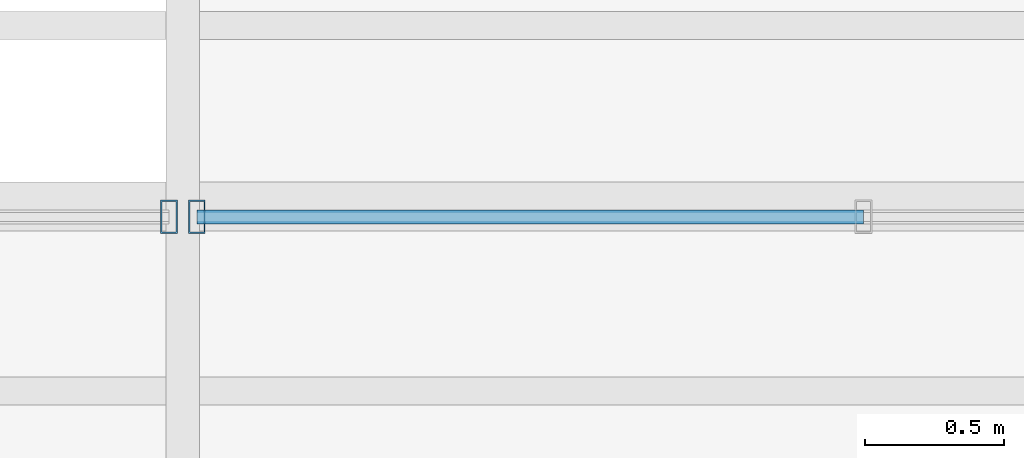
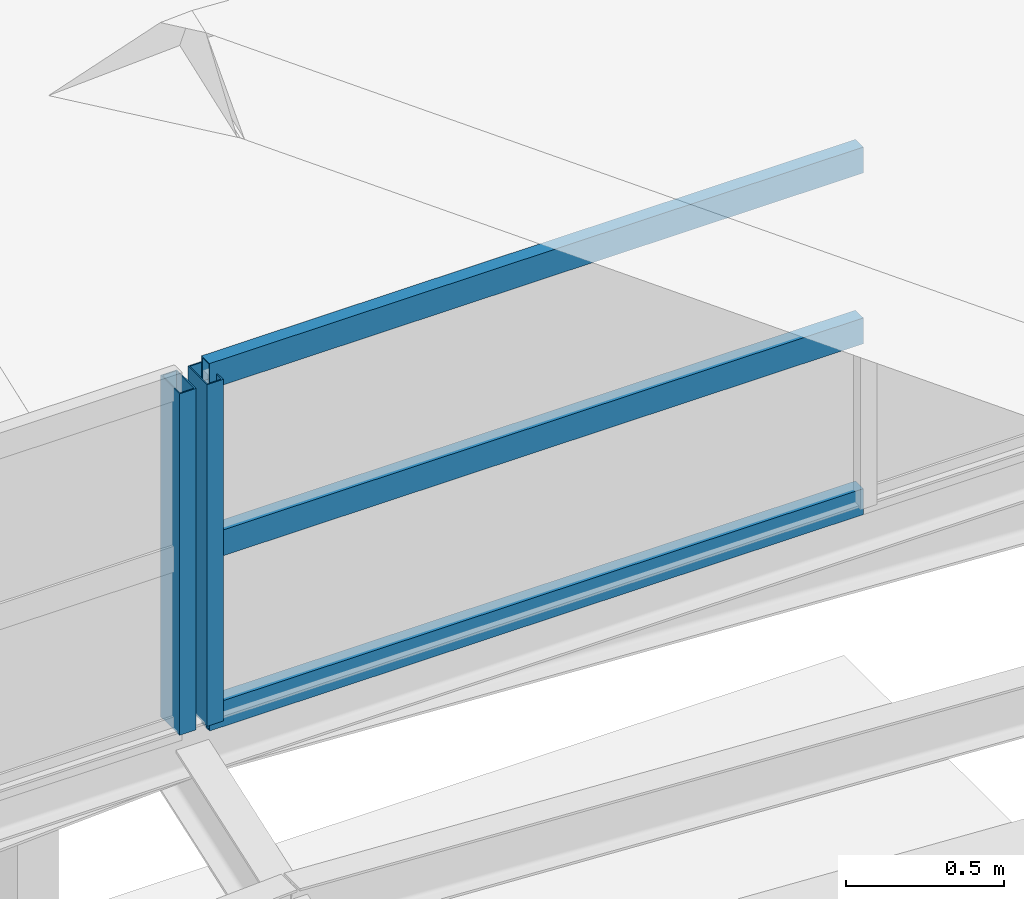
# One storey, part 98 of 141: 5 members, 2 elements without a shape of their own.
"""IFC4 building model written with IfcOpenShell, lengths in metres."""

from ifc_helpers import new_model, si_unit, direction, frame, origin, origin_2d, place, context, subcontext, project, spatial, hollow_rectangle, extrude, material, material_profile, profile_set, type_object, element, aggregate, save


model = new_model("IFC4")

# Units and contexts
model_context = context("Model", 3, precision=1e-05, world=origin(), true_north=direction((0.0, 1.0)))
body_context = subcontext(model_context, "Body", "Model", "MODEL_VIEW")
ifc_project = project(units=[si_unit("LENGTHUNIT", "METRE"), si_unit("AREAUNIT", "SQUARE_METRE"), si_unit("VOLUMEUNIT", "CUBIC_METRE"), si_unit("PLANEANGLEUNIT", "RADIAN"), si_unit("MASSUNIT", "GRAM", prefix="KILO")], contexts=[model_context])

# Site, building, storey
site_placement = place(None, origin())
site = spatial("IfcSite", under=ifc_project, at=site_placement, CompositionType="ELEMENT")
building_placement = place(site_placement, origin())
building = spatial("IfcBuilding", under=site, at=building_placement, Name="Sundkrona Museum", CompositionType="ELEMENT")
storey_placement = place(building_placement, frame((0.0, 0.0, 34.0)))
storey = spatial("IfcBuildingStorey", under=building, at=storey_placement, Name="RF", CompositionType="ELEMENT", Elevation=34.0)

# Curtain wall, member
ifc_material_1 = material(Name="Unitised Aluminium-Steel and Ceramic-Clad Curtain Walling", Category="steel")
curtain_wall_type = type_object("IfcCurtainWallType", Name="CW-SW-240x13", PredefinedType="NOTDEFINED", material=ifc_material_1)
curtain_wall_1_placement = place(storey_placement, origin())
curtain_wall_1 = element("IfcCurtainWall", 1, at=curtain_wall_1_placement, inside=storey, type_object=curtain_wall_type, Name="Sawtooth Bay 6 West North-Light Clerestory", PredefinedType="NOTDEFINED")
ifc_material_2 = material(Name="Aluminium EN AW-6060 T66", Category="aluminium")
ifc_material_profile_1 = material_profile(ifc_material_2, hollow_rectangle(XDim=0.06005859375, YDim=0.1201171875, WallThickness=0.0048828125, at=origin_2d()), Name="RHS 120x60x5.0")
ifc_profile_set_1 = profile_set([ifc_material_profile_1], Name="Aluminium EN AW-6060 T66")
member_type_1 = type_object("IfcMemberType", Name="ML-120", PredefinedType="MULLION", material=ifc_profile_set_1)
member_1_placement = place(storey_placement, frame((143.949951171875, 42.699951171875, 4.31298828125), z_axis=(0.0, 0.0, 1.0), x_axis=(1.0, 0.0, 0.0)))
member_1 = element("IfcMember", 2, at=member_1_placement, type_object=member_type_1, Name="CW-RF-SAW-06W Mullion 11", PredefinedType="MULLION", context=body_context, shape_type="SweptSolid", body=[
    extrude(hollow_rectangle(XDim=0.06005859375, YDim=0.1201171875, WallThickness=0.0048828125, at=origin_2d()), origin(), (0.0, 0.0, 1.0), 1.320068359375),
])
aggregate(curtain_wall_1, [member_1])

# Curtain wall, members
curtain_wall_2_placement = place(storey_placement, origin())
curtain_wall_2 = element("IfcCurtainWall", 3, at=curtain_wall_2_placement, inside=storey, type_object=curtain_wall_type, Name="Sawtooth Bay 6 East North-Light Clerestory", PredefinedType="NOTDEFINED")
member_2_placement = place(storey_placement, frame((144.050048828125, 42.699951171875, 4.31298828125), z_axis=(0.0, 0.0, 1.0), x_axis=(1.0, 0.0, 0.0)))
member_2 = element("IfcMember", 4, at=member_2_placement, type_object=member_type_1, Name="CW-RF-SAW-06E Mullion 01", PredefinedType="MULLION", context=body_context, shape_type="SweptSolid", body=[
    extrude(hollow_rectangle(XDim=0.06005859375, YDim=0.1201171875, WallThickness=0.0048828125, at=origin_2d()), origin(), (0.0, 0.0, 1.0), 1.320068359375),
])
ifc_material_profile_2 = material_profile(ifc_material_2, hollow_rectangle(XDim=0.050048828125, YDim=0.10009765625, WallThickness=0.0048828125, at=origin_2d()), Name="RHS 100x50x5.0")
ifc_profile_set_2 = profile_set([ifc_material_profile_2], Name="Aluminium EN AW-6060 T66")
member_type_2 = type_object("IfcMemberType", Name="TR-100", PredefinedType="USERDEFINED", material=ifc_profile_set_2)
member_3_placement = place(storey_placement, frame((144.050048828125, 42.699951171875, 4.31298828125), z_axis=(1.0, 0.0, 0.0), x_axis=(0.0, 1.0, 0.0)))
member_3 = element("IfcMember", 5, at=member_3_placement, type_object=member_type_2, Name="CW-RF-SAW-06E Transom 01", ObjectType="TRANSOM", PredefinedType="USERDEFINED", context=body_context, shape_type="SweptSolid", body=[
    extrude(hollow_rectangle(XDim=0.050048828125, YDim=0.10009765625, WallThickness=0.0048828125, at=origin_2d()), origin(), (0.0, 0.0, 1.0), 2.389892578125),
])
member_4_placement = place(storey_placement, frame((144.050048828125, 42.699951171875, 4.972900390625), z_axis=(1.0, 0.0, 0.0), x_axis=(0.0, 1.0, 0.0)))
member_4 = element("IfcMember", 6, at=member_4_placement, type_object=member_type_2, Name="CW-RF-SAW-06E Transom 02", ObjectType="TRANSOM", PredefinedType="USERDEFINED", context=body_context, shape_type="SweptSolid", body=[
    extrude(hollow_rectangle(XDim=0.050048828125, YDim=0.10009765625, WallThickness=0.0048828125, at=origin_2d()), origin(), (0.0, 0.0, 1.0), 2.389892578125),
])
member_5_placement = place(storey_placement, frame((144.050048828125, 42.699951171875, 5.633056640625), z_axis=(1.0, 0.0, 0.0), x_axis=(0.0, 1.0, 0.0)))
member_5 = element("IfcMember", 7, at=member_5_placement, type_object=member_type_2, Name="CW-RF-SAW-06E Transom 03", ObjectType="TRANSOM", PredefinedType="USERDEFINED", context=body_context, shape_type="SweptSolid", body=[
    extrude(hollow_rectangle(XDim=0.050048828125, YDim=0.10009765625, WallThickness=0.0048828125, at=origin_2d()), origin(), (0.0, 0.0, 1.0), 2.389892578125),
])
aggregate(curtain_wall_2, [member_2, member_3, member_4, member_5])

save(model, "model.ifc")
